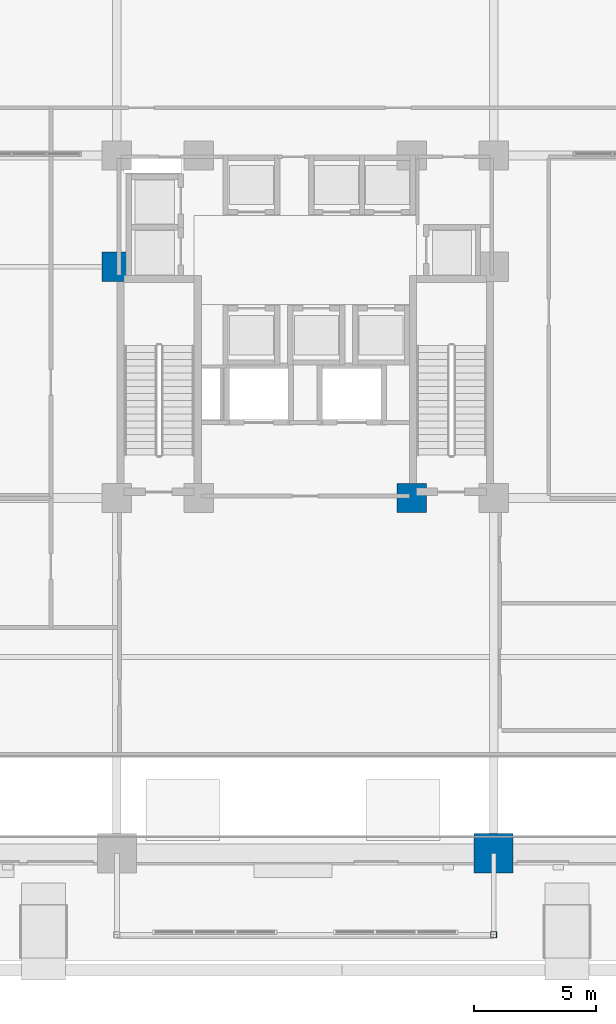
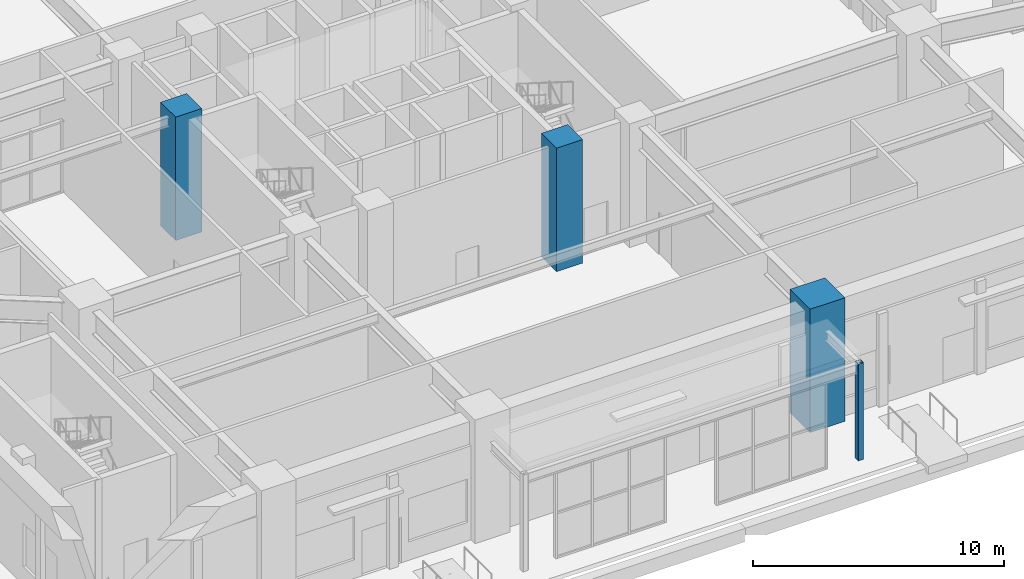
# One storey, part 2 of 24: 4 columns.
"""IFC4 building model written with IfcOpenShell, lengths in metres."""

import ifcopenshell
import ifcopenshell.guid

model = None  # the IFC model being written
_history = None  # IfcOwnerHistory: only IFC2X3 demands one
_inside = {}  # id of a spatial element -> (the spatial element, [elements in it])
_under = {}  # id of a project, library or spatial element -> (it, [spatial elements below it])
_declared = {}  # id of a project -> (the project, [libraries it declares])
_typed = {}  # id of a type object -> (the type object, [elements of that type])
_made_of = {}  # id of a material, layer set ... -> (it, [elements and type objects made of it])


def new_model(schema):
    """Start an empty IFC model of exactly this schema.

    Asked for "IFC4X3", IfcOpenShell would pick the latest addendum, in which some entities
    have other attributes; the version numbers below select the first issue.
    IFC2X3 requires an IfcOwnerHistory on every rooted entity: one is made here for all.
    """
    global model, _history
    if schema == "IFC4X3":
        model = ifcopenshell.file(schema_version=(4, 3, 0, 0))
    else:
        model = ifcopenshell.file(schema=schema)
    _inside.clear()
    _under.clear()
    _declared.clear()
    _typed.clear()
    _made_of.clear()
    _history = None
    if model.schema == "IFC2X3":
        org = make("IfcOrganization", Name="unknown")
        user = make(
            "IfcPersonAndOrganization",
            ThePerson=make("IfcPerson", FamilyName="unknown"),
            TheOrganization=org,
        )
        app = make(
            "IfcApplication",
            ApplicationDeveloper=org,
            Version="unknown",
            ApplicationFullName="unknown",
            ApplicationIdentifier="unknown",
        )
        _history = make(
            "IfcOwnerHistory",
            OwningUser=user,
            OwningApplication=app,
            ChangeAction="ADDED",
            CreationDate=0,
        )
    return model


def make(cls, **values):
    """One entity of the class cls with the attributes given. An attribute that is None is left unset."""
    return model.create_entity(
        cls, **{name: value for name, value in values.items() if value is not None}
    )


def rooted(cls, **values):
    """An entity with a GlobalId (a new one), such as an element, a storey or a relation."""
    return make(cls, GlobalId=ifcopenshell.guid.new(), OwnerHistory=_history, **values)


def si_unit(unit_type, name, prefix=None):
    """IfcSIUnit, for example si_unit("LENGTHUNIT", "METRE", prefix="MILLI")."""
    return make("IfcSIUnit", UnitType=unit_type, Prefix=prefix, Name=name)


def derived_unit(unit_type, elements):
    """IfcDerivedUnit: a product of units, each with its exponent."""
    return make(
        "IfcDerivedUnit",
        Elements=[
            make("IfcDerivedUnitElement", Unit=unit, Exponent=power)
            for unit, power in elements
        ],
        UnitType=unit_type,
    )


def assignment(units):
    """IfcUnitAssignment: the units of a project."""
    return None if units is None else make("IfcUnitAssignment", Units=units)


def point(xyz):
    """IfcCartesianPoint."""
    return None if xyz is None else make("IfcCartesianPoint", Coordinates=xyz)


def direction(xyz):
    """IfcDirection."""
    return None if xyz is None else make("IfcDirection", DirectionRatios=xyz)


def frame(location, z_axis=None, x_axis=None):
    """IfcAxis2Placement3D, a coordinate frame: its origin and axes. An axis left out is left unset."""
    return make(
        "IfcAxis2Placement3D",
        Location=point(location),
        Axis=direction(z_axis),
        RefDirection=direction(x_axis),
    )


def frame_2d(location, x_axis=None):
    """IfcAxis2Placement2D, a coordinate frame in the plane: its origin and x axis."""
    return make(
        "IfcAxis2Placement2D", Location=point(location), RefDirection=direction(x_axis)
    )


def origin():
    """The frame at (0, 0, 0) with its axes left unset."""
    return frame((0.0, 0.0, 0.0))


def origin_2d():
    """The frame at (0, 0) in the plane with its x axis left unset."""
    return frame_2d((0.0, 0.0))


def place(relative_to, where):
    """IfcLocalPlacement: puts the frame where relative to a parent placement (None: the world)."""
    return make(
        "IfcLocalPlacement", PlacementRelTo=relative_to, RelativePlacement=where
    )


def context(
    kind, dimensions, precision=None, world=None, true_north=None, identifier=None
):
    """IfcGeometricRepresentationContext, for example the 3D "Model" context."""
    return make(
        "IfcGeometricRepresentationContext",
        ContextIdentifier=identifier,
        ContextType=kind,
        CoordinateSpaceDimension=dimensions,
        Precision=precision,
        WorldCoordinateSystem=world,
        TrueNorth=true_north,
    )


def subcontext(parent, identifier, kind, view, scale=None):
    """IfcGeometricRepresentationSubContext, for example "Body" below "Model"."""
    return make(
        "IfcGeometricRepresentationSubContext",
        ContextIdentifier=identifier,
        ContextType=kind,
        ParentContext=parent,
        TargetScale=scale,
        TargetView=view,
    )


def project(units=None, contexts=None):
    """IfcProject with its units and contexts."""
    return rooted(
        "IfcProject",
        Name="project",
        RepresentationContexts=contexts,
        UnitsInContext=assignment(units),
    )


def spatial(cls, under=None, at=None, **own):
    """A site, building, storey or space (cls), placed at a placement, below another one or the project."""
    s = rooted(cls, ObjectPlacement=at, **own)
    if under is not None:
        _under.setdefault(under.id(), (under, []))[1].append(s)
    return s


def profile(cls, at=None, kind="AREA", **sizes):
    """A parametric profile (cls). Its sizes go by their IFC names, for example OverallWidth=200.0."""
    return make(cls, ProfileType=kind, Position=at, **sizes)


def rectangle(**sizes):
    """IfcRectangleProfileDef."""
    return profile("IfcRectangleProfileDef", **sizes)


def hollow_rectangle(**sizes):
    """IfcRectangleHollowProfileDef."""
    return profile("IfcRectangleHollowProfileDef", **sizes)


def extrude(swept, where, along, depth):
    """IfcExtrudedAreaSolid: the profile swept, set in the frame where, extruded along a direction by depth."""
    return make(
        "IfcExtrudedAreaSolid",
        SweptArea=swept,
        Position=where,
        ExtrudedDirection=direction(along),
        Depth=depth,
    )


def shape(context_of_items, identifier, shape_type, items):
    """IfcShapeRepresentation: the items that make up one representation, for example the "Body"."""
    return make(
        "IfcShapeRepresentation",
        ContextOfItems=context_of_items,
        RepresentationIdentifier=identifier,
        RepresentationType=shape_type,
        Items=items,
    )


def material(Name=None, Category=None):
    """IfcMaterial."""
    return make("IfcMaterial", Name=Name, Category=Category)


def material_profile(
    of_material, cross_section, Name=None, Category=None, Priority=None
):
    """IfcMaterialProfile: a cross section and its material."""
    return make(
        "IfcMaterialProfile",
        Name=Name,
        Material=of_material,
        Profile=cross_section,
        Priority=Priority,
        Category=Category,
    )


def profile_set(profiles, Name=None, composite=None):
    """IfcMaterialProfileSet."""
    return make(
        "IfcMaterialProfileSet",
        Name=Name,
        MaterialProfiles=profiles,
        CompositeProfile=composite,
    )


def made_of(thing, what):
    """Note that an element or type object is made of a material, layer set ...; save() writes the relation."""
    if what is not None:
        _made_of.setdefault(what.id(), (what, []))[1].append(thing)
    return thing


def type_object(cls, material=None, **own):
    """A type object (cls), such as IfcWallType, which elements share."""
    return made_of(rooted(cls, **own), material)


def element(
    cls,
    number,
    at=None,
    inside=None,
    cuts=None,
    type_object=None,
    material=None,
    context=None,
    identifier="Body",
    shape_type=None,
    held_by="IfcProductDefinitionShape",
    body=None,
    shapes=None,
    **own,
):
    """One element of the class cls, such as IfcWall. Its Tag is "e" and its number.

    at: its placement. inside: the storey or other place that contains it. cuts: it is an
    opening in that element (IfcRelVoidsElement). A single representation is given by context,
    identifier, shape_type and body (its items); several are given by shapes. held_by: the class
    of the entity that holds the representations. save() writes the other relations.
    """
    e = rooted(cls, Tag="e%d" % number, ObjectPlacement=at, **own)
    if body is not None:
        shapes = [shape(context, identifier, shape_type, body)]
    if shapes is not None:
        e.Representation = make(held_by, Representations=shapes)
    if inside is not None:
        _inside.setdefault(inside.id(), (inside, []))[1].append(e)
    if cuts is not None:
        rooted(
            "IfcRelVoidsElement", RelatingBuildingElement=cuts, RelatedOpeningElement=e
        )
    if type_object is not None:
        _typed.setdefault(type_object.id(), (type_object, []))[1].append(e)
    return made_of(e, material)


def aggregate(whole, parts):
    """IfcRelAggregates: a whole, such as a stair, and the parts it consists of."""
    return rooted("IfcRelAggregates", RelatingObject=whole, RelatedObjects=parts)


def save(model, path):
    """Write the relations noted so far, then the file.

    IfcRelAggregates (storeys below a building ...), IfcRelContainedInSpatialStructure (elements
    in a storey), IfcRelDefinesByType, IfcRelAssociatesMaterial and IfcRelDeclares: one each for
    every whole, place, type object, material and project.
    """
    for whole, parts in _under.values():
        aggregate(whole, parts)
    for where, things in _inside.values():
        rooted(
            "IfcRelContainedInSpatialStructure",
            RelatedElements=things,
            RelatingStructure=where,
        )
    for kind, things in _typed.values():
        rooted("IfcRelDefinesByType", RelatedObjects=things, RelatingType=kind)
    for what, things in _made_of.values():
        rooted("IfcRelAssociatesMaterial", RelatedObjects=things, RelatingMaterial=what)
    for by, libraries in _declared.values():
        rooted("IfcRelDeclares", RelatingContext=by, RelatedDefinitions=libraries)
    model.write(path)


model = new_model("IFC4")

# Units and contexts
model_context = context("Model", 3, precision=1e-05, world=origin(), true_north=direction((0.0, 1.0)))
body_context = subcontext(model_context, "Body", "Model", "MODEL_VIEW")
ifc_project = project(units=[si_unit("LENGTHUNIT", "METRE"), si_unit("AREAUNIT", "SQUARE_METRE"), si_unit("VOLUMEUNIT", "CUBIC_METRE"), si_unit("PLANEANGLEUNIT", "RADIAN"), si_unit("MASSUNIT", "GRAM", prefix="KILO"), derived_unit("THERMALTRANSMITTANCEUNIT", [(si_unit("MASSUNIT", "GRAM", prefix="KILO"), 1), (si_unit("TIMEUNIT", "SECOND"), -3), (si_unit("THERMODYNAMICTEMPERATUREUNIT", "KELVIN"), -1)])], contexts=[model_context])

# Site, building, storey
site_placement = place(None, origin())
site = spatial("IfcSite", under=ifc_project, at=site_placement, CompositionType="ELEMENT")
building_placement = place(site_placement, origin())
building = spatial("IfcBuilding", under=site, at=building_placement, Name="Korrvale Station Residences", CompositionType="ELEMENT")
storey_placement = place(building_placement, origin())
storey = spatial("IfcBuildingStorey", under=building, at=storey_placement, Name="L00", CompositionType="ELEMENT", Elevation=0.0)

# Columns
ifc_material_1 = material(Name="Steel S355", Category="steel")
ifc_material_profile_1 = material_profile(ifc_material_1, hollow_rectangle(XDim=0.25390625, YDim=0.25390625, WallThickness=0.0126953125, InnerFilletRadius=0.0126953125, OuterFilletRadius=0.025390625, at=origin_2d()), Name="HSS254x254x13")
ifc_profile_set_1 = profile_set([ifc_material_profile_1], Name="Steel S355")
column_type_1 = type_object("IfcColumnType", Name="COL-C-HSS254x254x13-S355", PredefinedType="COLUMN", material=ifc_profile_set_1)
column_1_placement = place(storey_placement, frame((33.199951171875, -2.85009765625, 0.0), z_axis=(0.0, 0.0, 1.0), x_axis=(1.0, 0.0, 0.0)))
element("IfcColumn", 1, at=column_1_placement, inside=storey, type_object=column_type_1, Name="L00 South Canopy Portal Post 2", PredefinedType="COLUMN", context=body_context, shape_type="SweptSolid", body=[
    extrude(hollow_rectangle(XDim=0.25390625, YDim=0.25390625, WallThickness=0.0126953125, InnerFilletRadius=0.0126953125, OuterFilletRadius=0.025390625, at=origin_2d()), origin(), (0.0, 0.0, 1.0), 4.699951171875),
])
ifc_material_2 = material(Name="Concrete C70/85", Category="concrete")
ifc_material_profile_2 = material_profile(ifc_material_2, rectangle(XDim=1.199951171875, YDim=1.199951171875, at=origin_2d()), Name="RC1200x1200")
ifc_profile_set_2 = profile_set([ifc_material_profile_2], Name="Concrete C70/85")
column_type_2 = type_object("IfcColumnType", Name="COL-C-RC1200x1200-C7085", PredefinedType="COLUMN", material=ifc_profile_set_2)
for number, where, z_axis, x_axis, name in (
    (2, (29.85009765625, 15.0, 0.0), (0.0, 0.0, 1.0), (1.0, 0.0, 0.0), "L00 Core Column 27"),
    (3, (17.800048828125, 24.449951171875, 0.0), (0.0, 0.0, 1.0), (1.0, 0.0, 0.0), "L00 Core Column 33"),
):
    element("IfcColumn", number, at=place(storey_placement, frame(where, z_axis=z_axis, x_axis=x_axis)), inside=storey, type_object=column_type_2, Name=name, PredefinedType="COLUMN", context=body_context, shape_type="SweptSolid", body=[
        extrude(rectangle(XDim=1.199951171875, YDim=1.199951171875, at=origin_2d()), origin(), (0.0, 0.0, 1.0), 6.0),
    ])
ifc_material_profile_3 = material_profile(ifc_material_2, rectangle(XDim=1.60009765625, YDim=1.60009765625, at=origin_2d()), Name="RC1600x1600")
ifc_profile_set_3 = profile_set([ifc_material_profile_3], Name="Concrete C70/85")
column_type_3 = type_object("IfcColumnType", Name="COL-C-RC1600x1600-C7085", PredefinedType="COLUMN", material=ifc_profile_set_3)
column_2_placement = place(storey_placement, frame((33.199951171875, 0.47998046875, 0.0), z_axis=(0.0, 0.0, 1.0), x_axis=(1.0, 0.0, 0.0)))
element("IfcColumn", 4, at=column_2_placement, inside=storey, type_object=column_type_3, Name="L00 Station Mega-Column 23", PredefinedType="COLUMN", context=body_context, shape_type="SweptSolid", body=[
    extrude(rectangle(XDim=1.60009765625, YDim=1.60009765625, at=origin_2d()), origin(), (0.0, 0.0, 1.0), 6.0),
])

save(model, "model.ifc")
